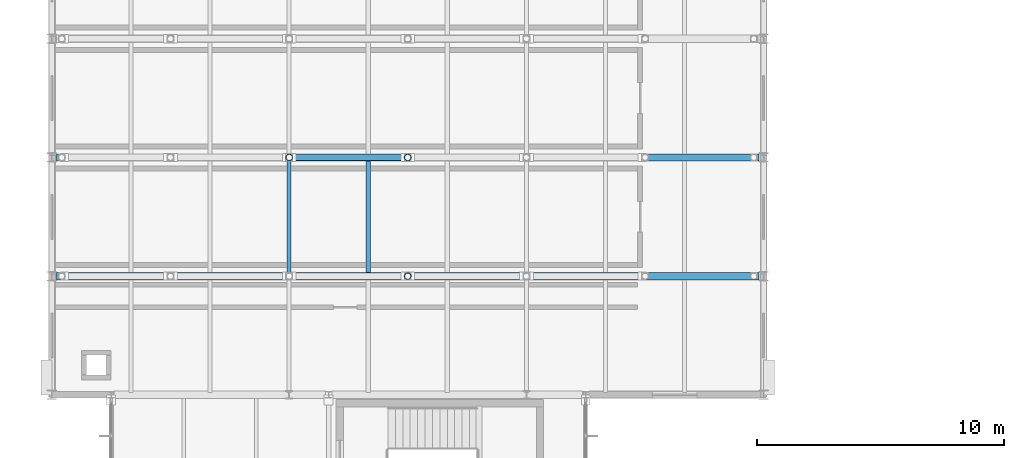
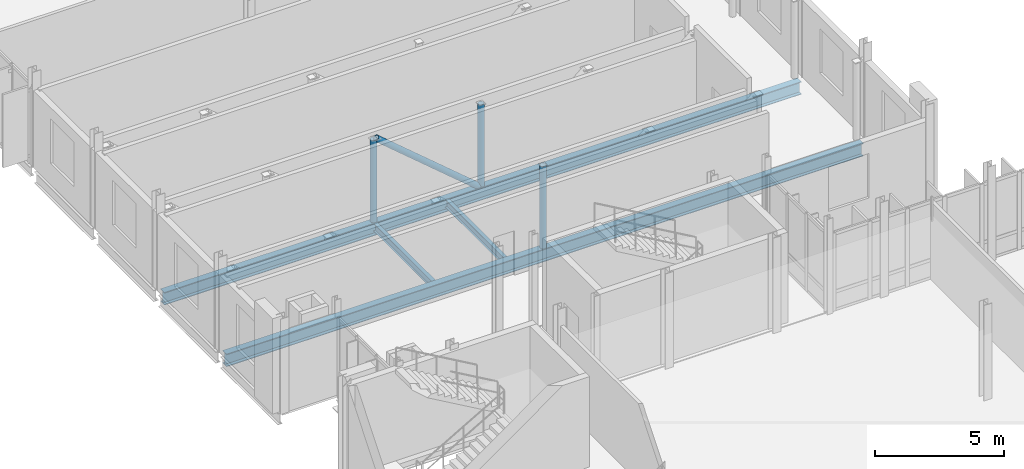
# One storey, part 25 of 110: 4 beams, 4 members.
"""IFC4 building model written with IfcOpenShell, lengths in metres."""

from ifc_helpers import new_model, si_unit, direction, frame, origin, origin_2d, place, context, subcontext, project, spatial, hollow_circle, i_section, extrude, material, material_profile, profile_set, type_object, element, save


model = new_model("IFC4")

# Units and contexts
model_context = context("Model", 3, precision=1e-05, world=origin(), true_north=direction((0.0, 1.0)))
body_context = subcontext(model_context, "Body", "Model", "MODEL_VIEW")
ifc_project = project(units=[si_unit("LENGTHUNIT", "METRE"), si_unit("AREAUNIT", "SQUARE_METRE"), si_unit("VOLUMEUNIT", "CUBIC_METRE"), si_unit("PLANEANGLEUNIT", "RADIAN"), si_unit("MASSUNIT", "GRAM", prefix="KILO")], contexts=[model_context])

# Site, building, storey
site_placement = place(None, origin())
site = spatial("IfcSite", under=ifc_project, at=site_placement, CompositionType="ELEMENT")
building_placement = place(site_placement, origin())
building = spatial("IfcBuilding", under=site, at=building_placement, Name="Dunescarp Central Library", CompositionType="ELEMENT")
storey_placement = place(building_placement, frame((0.0, 0.0, 9.60009765625)))
storey = spatial("IfcBuildingStorey", under=building, at=storey_placement, Name="L02", CompositionType="ELEMENT", Elevation=9.60009765625)

# Beams
ifc_material_1 = material(Name="Steel S355J0", Category="steel")
ifc_material_profile_1 = material_profile(ifc_material_1, i_section(OverallWidth=0.300048828125, OverallDepth=0.60009765625, WebThickness=0.015380859375, FlangeThickness=0.030029296875, at=origin_2d()), Name="HEB 600")
ifc_profile_set_1 = profile_set([ifc_material_profile_1], Name="Steel S355J0")
beam_type_1 = type_object("IfcBeamType", Name="STR-BM-HEB600", PredefinedType="BEAM", material=ifc_profile_set_1)
for number, where, z_axis, x_axis, name in (
    (1, (0.18310546875, 46.39990234375, -0.510009765625), (1.0, 0.0, 0.0), (0.0, 1.0, 0.0), "Transfer truss TT-V4-1 bottom chord"),
    (2, (0.18310546875, 51.199951171875, -0.510009765625), (1.0, 0.0, 0.0), (0.0, 1.0, 0.0), "Transfer truss TT-V4-2 bottom chord"),
):
    element("IfcBeam", number, at=place(storey_placement, frame(where, z_axis=z_axis, x_axis=x_axis)), inside=storey, type_object=beam_type_1, Name=name, PredefinedType="BEAM", context=body_context, shape_type="SweptSolid", body=[
        extrude(i_section(OverallWidth=0.300048828125, OverallDepth=0.60009765625, WebThickness=0.015380859375, FlangeThickness=0.030029296875, at=origin_2d()), origin(), (0.0, 0.0, 1.0), 28.433837890625),
    ])
ifc_material_2 = material(Name="Steel S355JR", Category="steel")
ifc_material_profile_2 = material_profile(ifc_material_2, i_section(OverallWidth=0.169921875, OverallDepth=0.360107421875, WebThickness=0.008056640625, FlangeThickness=0.0126953125, at=origin_2d()), Name="IPE 360")
ifc_profile_set_2 = profile_set([ifc_material_profile_2], Name="Steel S355JR")
beam_type_2 = type_object("IfcBeamType", Name="STR-JS-IPE360", PredefinedType="JOIST", material=ifc_profile_set_2)
for number, where, z_axis, x_axis, name in (
    (3, (9.60009765625, 46.548095703125, -0.39013671875), (0.0, 1.0, 0.0), (-1.0, 0.0, 0.0), "L02 joist JS-L02-1367"),
    (4, (12.800048828125, 46.548095703125, -0.39013671875), (0.0, 1.0, 0.0), (-1.0, 0.0, 0.0), "L02 joist JS-L02-1368"),
):
    element("IfcBeam", number, at=place(storey_placement, frame(where, z_axis=z_axis, x_axis=x_axis)), inside=storey, type_object=beam_type_2, Name=name, PredefinedType="JOIST", context=body_context, shape_type="SweptSolid", body=[
        extrude(i_section(OverallWidth=0.169921875, OverallDepth=0.360107421875, WebThickness=0.008056640625, FlangeThickness=0.0126953125, at=origin_2d()), origin(), (0.0, 0.0, 1.0), 4.50390625),
    ])

# Members
ifc_material_profile_3 = material_profile(ifc_material_1, hollow_circle(Radius=0.136474609375, WallThickness=0.012451171875, at=origin_2d()), Name="CHS 273x12.5")
ifc_profile_set_3 = profile_set([ifc_material_profile_3], Name="Steel S355J0")
member_type_1 = type_object("IfcMemberType", Name="STR-TT-DIAG", PredefinedType="CHORD", material=ifc_profile_set_3)
member_placement = place(storey_placement, frame((9.7099609375, 51.199951171875, 3.661865234375), z_axis=(0.763503596688, 0.0, -0.64580357528), x_axis=(0.0, 1.0, 0.0)))
element("IfcMember", 5, at=member_placement, inside=storey, type_object=member_type_1, Name="Transfer truss TT-V4-2 diagonal 3", PredefinedType="CHORD", context=body_context, shape_type="SweptSolid", body=[
    extrude(hollow_circle(Radius=0.136474609375, WallThickness=0.012451171875, at=origin_2d()), origin(), (0.0, 0.0, 1.0), 5.998779296875),
])
ifc_material_profile_4 = material_profile(ifc_material_1, hollow_circle(Radius=0.136474609375, WallThickness=0.010009765625, at=origin_2d()), Name="CHS 273x10")
ifc_profile_set_4 = profile_set([ifc_material_profile_4], Name="Steel S355J0")
member_type_2 = type_object("IfcMemberType", Name="STR-TT-VERT", PredefinedType="CHORD", material=ifc_profile_set_4)
for number, where, z_axis, x_axis, name in (
    (6, (14.39990234375, 46.39990234375, -0.215087890625), (0.0, 0.0, 1.0), (1.0, 0.0, 0.0), "Transfer truss TT-V4-1 vertical 4"),
    (7, (9.60009765625, 51.199951171875, -0.215087890625), (0.0, 0.0, 1.0), (1.0, 0.0, 0.0), "Transfer truss TT-V4-2 vertical 3"),
    (8, (14.39990234375, 51.199951171875, -0.215087890625), (0.0, 0.0, 1.0), (1.0, 0.0, 0.0), "Transfer truss TT-V4-2 vertical 4"),
):
    element("IfcMember", number, at=place(storey_placement, frame(where, z_axis=z_axis, x_axis=x_axis)), inside=storey, type_object=member_type_2, Name=name, PredefinedType="CHORD", context=body_context, shape_type="SweptSolid", body=[
        extrude(hollow_circle(Radius=0.136474609375, WallThickness=0.010009765625, at=origin_2d()), origin(), (0.0, 0.0, 1.0), 3.8798828125),
    ])

save(model, "model.ifc")
